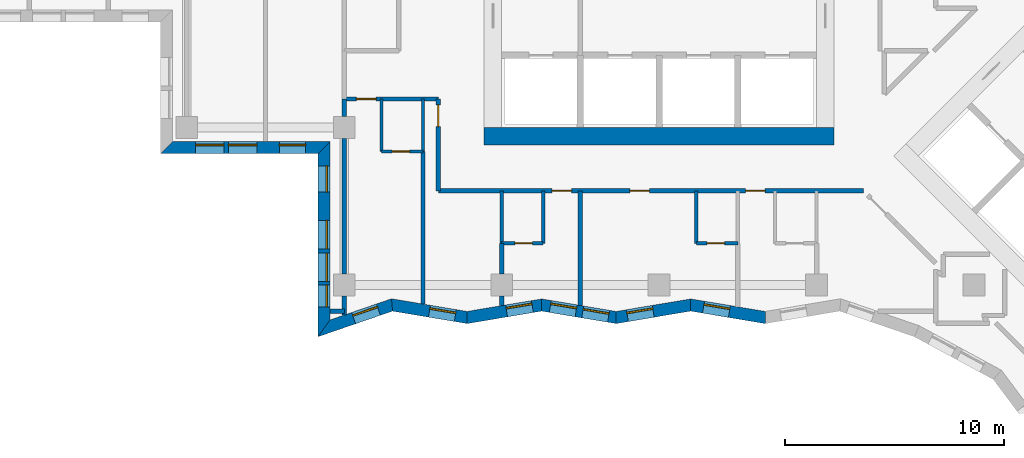
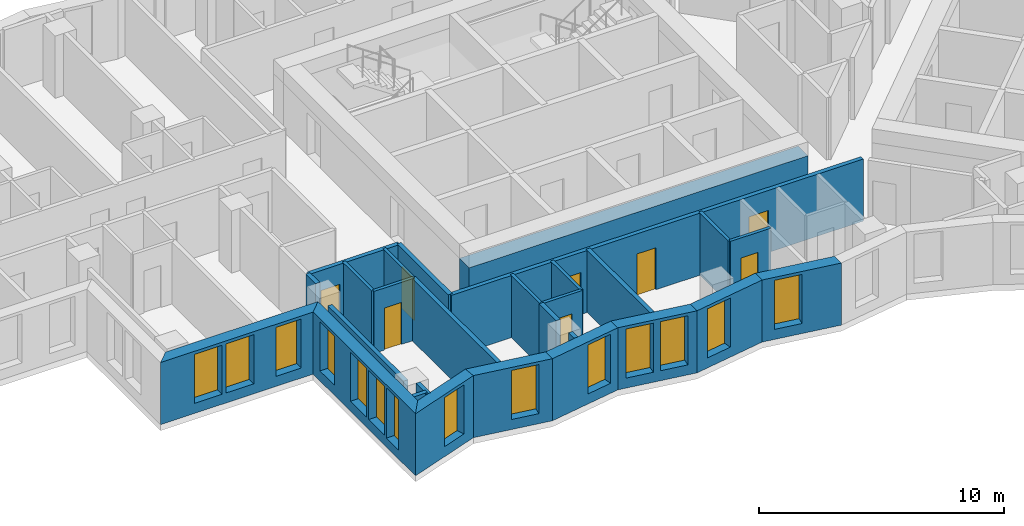
# One storey, part 2 of 13: 28 walls, 14 windows, 8 doors, 22 openings.
"""IFC4 building model written with IfcOpenShell, lengths in metres."""

from ifc_helpers import new_model, si_unit, direction, frame, frame_2d, origin, place, context, subcontext, project, spatial, polyline, rectangle, outline, extrude, material, layer, layer_set, type_object, element, fill, save


model = new_model("IFC4")

# Units and contexts
model_context = context("Model", 3, precision=1e-05, world=origin(), true_north=direction((0.0, 1.0)))
body_context = subcontext(model_context, "Body", "Model", "MODEL_VIEW")
ifc_project = project(units=[si_unit("LENGTHUNIT", "METRE"), si_unit("AREAUNIT", "SQUARE_METRE"), si_unit("VOLUMEUNIT", "CUBIC_METRE"), si_unit("PLANEANGLEUNIT", "RADIAN"), si_unit("MASSUNIT", "GRAM", prefix="KILO")], contexts=[model_context])

# Site, building, storey
site_placement = place(None, origin())
site = spatial("IfcSite", under=ifc_project, at=site_placement, CompositionType="ELEMENT")
building_placement = place(site_placement, origin())
building = spatial("IfcBuilding", under=site, at=building_placement, Name="Windrow Commons", CompositionType="ELEMENT")
storey_placement = place(building_placement, frame((0.0, 0.0, 111.8)))
storey = spatial("IfcBuildingStorey", under=building, at=storey_placement, Name="L30", CompositionType="ELEMENT", Elevation=111.8)

# Wall, openings, windows
ifc_material_1 = material(Name="Brick masonry, red clay brick", Category="masonry")
ifc_layer_1 = layer(ifc_material_1, 0.55)
ifc_layer_set_1 = layer_set([ifc_layer_1], Name="Brick facade wall 550")
wall_type_1 = type_object("IfcWallType", Name="Brick facade wall 550", PredefinedType="SOLIDWALL", material=ifc_layer_set_1)
wall_1_placement = place(storey_placement, frame((42.275, 49.475, 0.0), z_axis=(0.0, 0.0, 1.0), x_axis=(1.0, 0.0, 0.0)))
wall_1 = element("IfcWall", 1, at=wall_1_placement, inside=storey, type_object=wall_type_1, Name="Brick facade wall L30 42", PredefinedType="SOLIDWALL", context=body_context, shape_type="SweptSolid", body=[
    extrude(outline(polyline([(-0.275, -0.275), (6.925, -0.275), (7.475, 0.275), (0.275, 0.275), (-0.275, -0.275)])), origin(), (0.0, 0.0, 1.0), 3.1),
])
opening_1_placement = place(wall_1_placement, frame((1.325, 0.0, 0.5)))
opening_1 = element("IfcOpeningElement", 2, at=opening_1_placement, cuts=wall_1, Name="Opening W1P", PredefinedType="OPENING", context=body_context, shape_type="SweptSolid", body=[
    extrude(rectangle(XDim=1.3, YDim=2.45, at=frame_2d((0.65, 1.225))), frame((0.0, 0.285, 0.0), z_axis=(0.0, -1.0, 0.0), x_axis=(1.0, 0.0, 0.0)), (0.0, 0.0, 1.0), 0.57),
])
opening_2_placement = place(wall_1_placement, frame((2.825, 0.0, 0.5)))
opening_2 = element("IfcOpeningElement", 3, at=opening_2_placement, cuts=wall_1, Name="Opening W1P", PredefinedType="OPENING", context=body_context, shape_type="SweptSolid", body=[
    extrude(rectangle(XDim=1.3, YDim=2.45, at=frame_2d((0.65, 1.225))), frame((0.0, 0.285, 0.0), z_axis=(0.0, -1.0, 0.0), x_axis=(1.0, 0.0, 0.0)), (0.0, 0.0, 1.0), 0.57),
])
opening_3_placement = place(wall_1_placement, frame((5.1625, 0.0, 0.5)))
opening_3 = element("IfcOpeningElement", 4, at=opening_3_placement, cuts=wall_1, Name="Opening W7D", PredefinedType="OPENING", context=body_context, shape_type="SweptSolid", body=[
    extrude(rectangle(XDim=1.2, YDim=2.45, at=frame_2d((0.6, 1.225))), frame((0.0, 0.285, 0.0), z_axis=(0.0, -1.0, 0.0), x_axis=(1.0, 0.0, 0.0)), (0.0, 0.0, 1.0), 0.57),
])
ifc_material_2 = material(Name="Clear float glass in anodised aluminium frame", Category="aluminium")
window_type_1 = type_object("IfcWindowType", Name="Window W1P pair 1300x2450", PartitioningType="SINGLE_PANEL", PredefinedType="WINDOW", material=ifc_material_2)
window_1_placement = place(opening_1_placement, origin())
window_1 = element("IfcWindow", 5, at=window_1_placement, inside=storey, type_object=window_type_1, Name="Window L30 42.1A", OverallHeight=2.45, OverallWidth=1.3, PartitioningType="SINGLE_PANEL", PredefinedType="WINDOW", context=body_context, shape_type="SweptSolid", body=[
    extrude(rectangle(XDim=1.3, YDim=2.45, at=frame_2d((0.65, 1.225))), frame((0.0, 0.155, 0.0), z_axis=(0.0, -1.0, 0.0), x_axis=(1.0, 0.0, 0.0)), (0.0, 0.0, 1.0), 0.06),
])
fill(opening_1, window_1)
window_2_placement = place(opening_2_placement, origin())
window_2 = element("IfcWindow", 6, at=window_2_placement, inside=storey, type_object=window_type_1, Name="Window L30 42.1B", OverallHeight=2.45, OverallWidth=1.3, PartitioningType="SINGLE_PANEL", PredefinedType="WINDOW", context=body_context, shape_type="SweptSolid", body=[
    extrude(rectangle(XDim=1.3, YDim=2.45, at=frame_2d((0.65, 1.225))), frame((0.0, 0.155, 0.0), z_axis=(0.0, -1.0, 0.0), x_axis=(1.0, 0.0, 0.0)), (0.0, 0.0, 1.0), 0.06),
])
fill(opening_2, window_2)
ifc_material_3 = material(Name="Clear float glass in anodised aluminium frame", Category="aluminium")
window_type_2 = type_object("IfcWindowType", Name="Window W7 notch 1200x2450", PartitioningType="SINGLE_PANEL", PredefinedType="WINDOW", material=ifc_material_3)
window_3_placement = place(opening_3_placement, origin())
window_3 = element("IfcWindow", 7, at=window_3_placement, inside=storey, type_object=window_type_2, Name="Window L30 42.2", OverallHeight=2.45, OverallWidth=1.2, PartitioningType="SINGLE_PANEL", PredefinedType="WINDOW", context=body_context, shape_type="SweptSolid", body=[
    extrude(rectangle(XDim=1.2, YDim=2.45, at=frame_2d((0.6, 1.225))), frame((0.0, 0.155, 0.0), z_axis=(0.0, -1.0, 0.0), x_axis=(1.0, 0.0, 0.0)), (0.0, 0.0, 1.0), 0.06),
])
fill(opening_3, window_3)

wall_2_placement = place(storey_placement, frame((49.475, 49.475, 0.0), z_axis=(0.0, 0.0, 1.0), x_axis=(0.0, -1.0, 0.0)))
wall_2 = element("IfcWall", 8, at=wall_2_placement, inside=storey, type_object=wall_type_1, Name="Brick facade wall L30 43", PredefinedType="SOLIDWALL", context=body_context, shape_type="SweptSolid", body=[
    extrude(outline(polyline([(0.275, -0.275), (8.647, -0.275), (7.8763, 0.275), (-0.275, 0.275), (0.275, -0.275)])), origin(), (0.0, 0.0, 1.0), 3.1),
])
opening_4_placement = place(wall_2_placement, frame((3.325, 0.0, 0.5)))
opening_4 = element("IfcOpeningElement", 9, at=opening_4_placement, cuts=wall_2, Name="Opening W1P", PredefinedType="OPENING", context=body_context, shape_type="SweptSolid", body=[
    extrude(rectangle(XDim=1.3, YDim=2.45, at=frame_2d((0.65, 1.225))), frame((0.0, 0.285, 0.0), z_axis=(0.0, -1.0, 0.0), x_axis=(1.0, 0.0, 0.0)), (0.0, 0.0, 1.0), 0.57),
])
opening_5_placement = place(wall_2_placement, frame((4.825, 0.0, 0.5)))
opening_5 = element("IfcOpeningElement", 10, at=opening_5_placement, cuts=wall_2, Name="Opening W1P", PredefinedType="OPENING", context=body_context, shape_type="SweptSolid", body=[
    extrude(rectangle(XDim=1.3, YDim=2.45, at=frame_2d((0.65, 1.225))), frame((0.0, 0.285, 0.0), z_axis=(0.0, -1.0, 0.0), x_axis=(1.0, 0.0, 0.0)), (0.0, 0.0, 1.0), 0.57),
])
opening_6_placement = place(wall_2_placement, frame((0.8375, 0.0, 0.5)))
opening_6 = element("IfcOpeningElement", 11, at=opening_6_placement, cuts=wall_2, Name="Opening W7D", PredefinedType="OPENING", context=body_context, shape_type="SweptSolid", body=[
    extrude(rectangle(XDim=1.2, YDim=2.45, at=frame_2d((0.6, 1.225))), frame((0.0, 0.285, 0.0), z_axis=(0.0, -1.0, 0.0), x_axis=(1.0, 0.0, 0.0)), (0.0, 0.0, 1.0), 0.57),
])
opening_7_placement = place(wall_2_placement, frame((6.275, 0.0, 0.45)))
opening_7 = element("IfcOpeningElement", 12, at=opening_7_placement, cuts=wall_2, Name="Opening W1S", PredefinedType="OPENING", context=body_context, shape_type="SweptSolid", body=[
    extrude(rectangle(XDim=1.0, YDim=2.5, at=frame_2d((0.5, 1.25))), frame((0.0, 0.285, 0.0), z_axis=(0.0, -1.0, 0.0), x_axis=(1.0, 0.0, 0.0)), (0.0, 0.0, 1.0), 0.57),
])
window_4_placement = place(opening_4_placement, origin())
window_4 = element("IfcWindow", 13, at=window_4_placement, inside=storey, type_object=window_type_1, Name="Window L30 43.1A", OverallHeight=2.45, OverallWidth=1.3, PartitioningType="SINGLE_PANEL", PredefinedType="WINDOW", context=body_context, shape_type="SweptSolid", body=[
    extrude(rectangle(XDim=1.3, YDim=2.45, at=frame_2d((0.65, 1.225))), frame((0.0, 0.155, 0.0), z_axis=(0.0, -1.0, 0.0), x_axis=(1.0, 0.0, 0.0)), (0.0, 0.0, 1.0), 0.06),
])
fill(opening_4, window_4)
window_5_placement = place(opening_5_placement, origin())
window_5 = element("IfcWindow", 14, at=window_5_placement, inside=storey, type_object=window_type_1, Name="Window L30 43.1B", OverallHeight=2.45, OverallWidth=1.3, PartitioningType="SINGLE_PANEL", PredefinedType="WINDOW", context=body_context, shape_type="SweptSolid", body=[
    extrude(rectangle(XDim=1.3, YDim=2.45, at=frame_2d((0.65, 1.225))), frame((0.0, 0.155, 0.0), z_axis=(0.0, -1.0, 0.0), x_axis=(1.0, 0.0, 0.0)), (0.0, 0.0, 1.0), 0.06),
])
fill(opening_5, window_5)
ifc_material_4 = material(Name="Clear float glass in anodised aluminium frame", Category="aluminium")
window_type_3 = type_object("IfcWindowType", Name="Window W1S slit 1000x2500", PartitioningType="SINGLE_PANEL", PredefinedType="WINDOW", material=ifc_material_4)
window_6_placement = place(opening_7_placement, origin())
window_6 = element("IfcWindow", 15, at=window_6_placement, inside=storey, type_object=window_type_3, Name="Window L30 43.3A", OverallHeight=2.5, OverallWidth=1.0, PartitioningType="SINGLE_PANEL", PredefinedType="WINDOW", context=body_context, shape_type="SweptSolid", body=[
    extrude(rectangle(XDim=1.0, YDim=2.5, at=frame_2d((0.5, 1.25))), frame((0.0, 0.155, 0.0), z_axis=(0.0, -1.0, 0.0), x_axis=(1.0, 0.0, 0.0)), (0.0, 0.0, 1.0), 0.06),
])
fill(opening_7, window_6)
window_7_placement = place(opening_6_placement, origin())
window_7 = element("IfcWindow", 16, at=window_7_placement, inside=storey, type_object=window_type_2, Name="Window L30 43.2", OverallHeight=2.45, OverallWidth=1.2, PartitioningType="SINGLE_PANEL", PredefinedType="WINDOW", context=body_context, shape_type="SweptSolid", body=[
    extrude(rectangle(XDim=1.2, YDim=2.45, at=frame_2d((0.6, 1.225))), frame((0.0, 0.155, 0.0), z_axis=(0.0, -1.0, 0.0), x_axis=(1.0, 0.0, 0.0)), (0.0, 0.0, 1.0), 0.06),
])
fill(opening_6, window_7)

# Wall, opening, window
wall_3_placement = place(storey_placement, frame((49.475, 41.2133, 0.0), z_axis=(0.0, 0.0, 1.0), x_axis=(0.9456585559, 0.3251613379, 0.0)))
wall_3 = element("IfcWall", 17, at=wall_3_placement, inside=storey, type_object=wall_type_1, Name="Brick facade wall L30 44", PredefinedType="SOLIDWALL", context=body_context, shape_type="SweptSolid", body=[
    extrude(outline(polyline([(-0.3853, -0.275), (3.2193, -0.275), (3.359, 0.275), (0.3853, 0.275), (-0.3853, -0.275)])), origin(), (0.0, 0.0, 1.0), 3.1),
])
opening_8_placement = place(wall_3_placement, frame((1.4336, 0.0, 0.5)))
opening_8 = element("IfcOpeningElement", 18, at=opening_8_placement, cuts=wall_3, Name="Opening W7D", PredefinedType="OPENING", context=body_context, shape_type="SweptSolid", body=[
    extrude(rectangle(XDim=1.2, YDim=2.45, at=frame_2d((0.6, 1.225))), frame((0.0, 0.285, 0.0), z_axis=(0.0, -1.0, 0.0), x_axis=(1.0, 0.0, 0.0)), (0.0, 0.0, 1.0), 0.57),
])
window_8_placement = place(opening_8_placement, origin())
window_8 = element("IfcWindow", 19, at=window_8_placement, inside=storey, type_object=window_type_2, Name="Window L30 44.1", OverallHeight=2.45, OverallWidth=1.2, PartitioningType="SINGLE_PANEL", PredefinedType="WINDOW", context=body_context, shape_type="SweptSolid", body=[
    extrude(rectangle(XDim=1.2, YDim=2.45, at=frame_2d((0.6, 1.225))), frame((0.0, 0.155, 0.0), z_axis=(0.0, -1.0, 0.0), x_axis=(1.0, 0.0, 0.0)), (0.0, 0.0, 1.0), 0.06),
])
fill(opening_8, window_8)

wall_4_placement = place(storey_placement, frame((52.5854, 42.2828, 0.0), z_axis=(0.0, 0.0, 1.0), x_axis=(0.9862084709, -0.1655078606, 0.0)))
wall_4 = element("IfcWall", 20, at=wall_4_placement, inside=storey, type_object=wall_type_1, Name="Brick facade wall L30 45", PredefinedType="SOLIDWALL", context=body_context, shape_type="SweptSolid", body=[
    extrude(outline(polyline([(0.0698, -0.275), (3.5263, -0.275), (3.434, 0.275), (-0.0698, 0.275), (0.0698, -0.275)])), origin(), (0.0, 0.0, 1.0), 3.1),
])
opening_9_placement = place(wall_4_placement, frame((1.7342, 0.0, 0.5)))
opening_9 = element("IfcOpeningElement", 21, at=opening_9_placement, cuts=wall_4, Name="Opening W7D", PredefinedType="OPENING", context=body_context, shape_type="SweptSolid", body=[
    extrude(rectangle(XDim=1.2, YDim=2.45, at=frame_2d((0.6, 1.225))), frame((0.0, 0.285, 0.0), z_axis=(0.0, -1.0, 0.0), x_axis=(1.0, 0.0, 0.0)), (0.0, 0.0, 1.0), 0.57),
])
window_9_placement = place(opening_9_placement, origin())
window_9 = element("IfcWindow", 22, at=window_9_placement, inside=storey, type_object=window_type_2, Name="Window L30 45.1", OverallHeight=2.45, OverallWidth=1.2, PartitioningType="SINGLE_PANEL", PredefinedType="WINDOW", context=body_context, shape_type="SweptSolid", body=[
    extrude(rectangle(XDim=1.2, YDim=2.45, at=frame_2d((0.6, 1.225))), frame((0.0, 0.155, 0.0), z_axis=(0.0, -1.0, 0.0), x_axis=(1.0, 0.0, 0.0)), (0.0, 0.0, 1.0), 0.06),
])
fill(opening_9, window_9)

wall_5_placement = place(storey_placement, frame((56.0176, 41.7068, 0.0), z_axis=(0.0, 0.0, 1.0), x_axis=(0.9862119159, 0.1654873316, 0.0)))
wall_5 = element("IfcWall", 23, at=wall_5_placement, inside=storey, type_object=wall_type_1, Name="Brick facade wall L30 46", PredefinedType="SOLIDWALL", context=body_context, shape_type="SweptSolid", body=[
    extrude(outline(polyline([(-0.0461, -0.275), (3.4103, -0.275), (3.5026, 0.275), (0.0461, 0.275), (-0.0461, -0.275)])), origin(), (0.0, 0.0, 1.0), 3.1),
])
opening_10_placement = place(wall_5_placement, frame((1.8305, 0.0, 0.5)))
opening_10 = element("IfcOpeningElement", 24, at=opening_10_placement, cuts=wall_5, Name="Opening W7D", PredefinedType="OPENING", context=body_context, shape_type="SweptSolid", body=[
    extrude(rectangle(XDim=1.2, YDim=2.45, at=frame_2d((0.6, 1.225))), frame((0.0, 0.285, 0.0), z_axis=(0.0, -1.0, 0.0), x_axis=(1.0, 0.0, 0.0)), (0.0, 0.0, 1.0), 0.57),
])
window_10_placement = place(opening_10_placement, origin())
window_10 = element("IfcWindow", 25, at=window_10_placement, inside=storey, type_object=window_type_2, Name="Window L30 46.1", OverallHeight=2.45, OverallWidth=1.2, PartitioningType="SINGLE_PANEL", PredefinedType="WINDOW", context=body_context, shape_type="SweptSolid", body=[
    extrude(rectangle(XDim=1.2, YDim=2.45, at=frame_2d((0.6, 1.225))), frame((0.0, 0.155, 0.0), z_axis=(0.0, -1.0, 0.0), x_axis=(1.0, 0.0, 0.0)), (0.0, 0.0, 1.0), 0.06),
])
fill(opening_10, window_10)

# Wall, openings, windows
wall_6_placement = place(storey_placement, frame((59.4264, 42.2788, 0.0), z_axis=(0.0, 0.0, 1.0), x_axis=(0.9862119159, -0.1654873316, 0.0)))
wall_6 = element("IfcWall", 26, at=wall_6_placement, inside=storey, type_object=wall_type_1, Name="Brick facade wall L30 47", PredefinedType="SOLIDWALL", context=body_context, shape_type="SweptSolid", body=[
    extrude(outline(polyline([(0.0461, -0.275), (3.5026, -0.275), (3.4103, 0.275), (-0.0461, 0.275), (0.0461, -0.275)])), origin(), (0.0, 0.0, 1.0), 3.1),
])
opening_11_placement = place(wall_6_placement, frame((0.3992, 0.0, 0.5)))
opening_11 = element("IfcOpeningElement", 27, at=opening_11_placement, cuts=wall_6, Name="Opening W7D", PredefinedType="OPENING", context=body_context, shape_type="SweptSolid", body=[
    extrude(rectangle(XDim=1.2, YDim=2.45, at=frame_2d((0.6, 1.225))), frame((0.0, 0.285, 0.0), z_axis=(0.0, -1.0, 0.0), x_axis=(1.0, 0.0, 0.0)), (0.0, 0.0, 1.0), 0.57),
])
opening_12_placement = place(wall_6_placement, frame((1.9043, 0.0, 0.5)))
opening_12 = element("IfcOpeningElement", 28, at=opening_12_placement, cuts=wall_6, Name="Opening W7D", PredefinedType="OPENING", context=body_context, shape_type="SweptSolid", body=[
    extrude(rectangle(XDim=1.2, YDim=2.45, at=frame_2d((0.6, 1.225))), frame((0.0, 0.285, 0.0), z_axis=(0.0, -1.0, 0.0), x_axis=(1.0, 0.0, 0.0)), (0.0, 0.0, 1.0), 0.57),
])
window_11_placement = place(opening_11_placement, origin())
window_11 = element("IfcWindow", 29, at=window_11_placement, inside=storey, type_object=window_type_2, Name="Window L30 47.1", OverallHeight=2.45, OverallWidth=1.2, PartitioningType="SINGLE_PANEL", PredefinedType="WINDOW", context=body_context, shape_type="SweptSolid", body=[
    extrude(rectangle(XDim=1.2, YDim=2.45, at=frame_2d((0.6, 1.225))), frame((0.0, 0.155, 0.0), z_axis=(0.0, -1.0, 0.0), x_axis=(1.0, 0.0, 0.0)), (0.0, 0.0, 1.0), 0.06),
])
fill(opening_11, window_11)
window_12_placement = place(opening_12_placement, origin())
window_12 = element("IfcWindow", 30, at=window_12_placement, inside=storey, type_object=window_type_2, Name="Window L30 47.2", OverallHeight=2.45, OverallWidth=1.2, PartitioningType="SINGLE_PANEL", PredefinedType="WINDOW", context=body_context, shape_type="SweptSolid", body=[
    extrude(rectangle(XDim=1.2, YDim=2.45, at=frame_2d((0.6, 1.225))), frame((0.0, 0.155, 0.0), z_axis=(0.0, -1.0, 0.0), x_axis=(1.0, 0.0, 0.0)), (0.0, 0.0, 1.0), 0.06),
])
fill(opening_12, window_12)

# Wall, opening, window
wall_7_placement = place(storey_placement, frame((62.8352, 41.7068, 0.0), z_axis=(0.0, 0.0, 1.0), x_axis=(0.9862119159, 0.1654873316, 0.0)))
wall_7 = element("IfcWall", 31, at=wall_7_placement, inside=storey, type_object=wall_type_1, Name="Brick facade wall L30 48", PredefinedType="SOLIDWALL", context=body_context, shape_type="SweptSolid", body=[
    extrude(outline(polyline([(-0.0461, -0.275), (3.4103, -0.275), (3.5026, 0.275), (0.0461, 0.275), (-0.0461, -0.275)])), origin(), (0.0, 0.0, 1.0), 3.1),
])
opening_13_placement = place(wall_7_placement, frame((0.5192, 0.0, 0.5)))
opening_13 = element("IfcOpeningElement", 32, at=opening_13_placement, cuts=wall_7, Name="Opening W7D", PredefinedType="OPENING", context=body_context, shape_type="SweptSolid", body=[
    extrude(rectangle(XDim=1.2, YDim=2.45, at=frame_2d((0.6, 1.225))), frame((0.0, 0.285, 0.0), z_axis=(0.0, -1.0, 0.0), x_axis=(1.0, 0.0, 0.0)), (0.0, 0.0, 1.0), 0.57),
])
window_13_placement = place(opening_13_placement, origin())
window_13 = element("IfcWindow", 33, at=window_13_placement, inside=storey, type_object=window_type_2, Name="Window L30 48.1", OverallHeight=2.45, OverallWidth=1.2, PartitioningType="SINGLE_PANEL", PredefinedType="WINDOW", context=body_context, shape_type="SweptSolid", body=[
    extrude(rectangle(XDim=1.2, YDim=2.45, at=frame_2d((0.6, 1.225))), frame((0.0, 0.155, 0.0), z_axis=(0.0, -1.0, 0.0), x_axis=(1.0, 0.0, 0.0)), (0.0, 0.0, 1.0), 0.06),
])
fill(opening_13, window_13)

wall_8_placement = place(storey_placement, frame((66.244, 42.2788, 0.0), z_axis=(0.0, 0.0, 1.0), x_axis=(0.9862119159, -0.1654873316, 0.0)))
wall_8 = element("IfcWall", 34, at=wall_8_placement, inside=storey, type_object=wall_type_1, Name="Brick facade wall L30 49", PredefinedType="SOLIDWALL", context=body_context, shape_type="SweptSolid", body=[
    extrude(outline(polyline([(0.0461, -0.275), (3.5026, -0.275), (3.4103, 0.275), (-0.0461, 0.275), (0.0461, -0.275)])), origin(), (0.0, 0.0, 1.0), 3.1),
])
opening_14_placement = place(wall_8_placement, frame((0.5931, 0.0, 0.5)))
opening_14 = element("IfcOpeningElement", 35, at=opening_14_placement, cuts=wall_8, Name="Opening W7D", PredefinedType="OPENING", context=body_context, shape_type="SweptSolid", body=[
    extrude(rectangle(XDim=1.2, YDim=2.45, at=frame_2d((0.6, 1.225))), frame((0.0, 0.285, 0.0), z_axis=(0.0, -1.0, 0.0), x_axis=(1.0, 0.0, 0.0)), (0.0, 0.0, 1.0), 0.57),
])
window_14_placement = place(opening_14_placement, origin())
window_14 = element("IfcWindow", 36, at=window_14_placement, inside=storey, type_object=window_type_2, Name="Window L30 49.1", OverallHeight=2.45, OverallWidth=1.2, PartitioningType="SINGLE_PANEL", PredefinedType="WINDOW", context=body_context, shape_type="SweptSolid", body=[
    extrude(rectangle(XDim=1.2, YDim=2.45, at=frame_2d((0.6, 1.225))), frame((0.0, 0.155, 0.0), z_axis=(0.0, -1.0, 0.0), x_axis=(1.0, 0.0, 0.0)), (0.0, 0.0, 1.0), 0.06),
])
fill(opening_14, window_14)

# Wall, openings, doors
ifc_material_5 = material(Name="Blockwork partition", Category="masonry")
ifc_layer_2 = layer(ifc_material_5, 0.2)
ifc_layer_set_2 = layer_set([ifc_layer_2], Name="IW-CORRIDOR-200")
wall_type_2 = type_object("IfcWallType", Name="IW-CORRIDOR-200", PredefinedType="PARTITIONING", material=ifc_layer_set_2)
wall_9_placement = place(storey_placement, frame((54.7, 47.5, 0.0), z_axis=(0.0, 0.0, 1.0), x_axis=(1.0, 0.0, 0.0)))
wall_9 = element("IfcWall", 37, at=wall_9_placement, inside=storey, type_object=wall_type_2, Name="W-L30-W003", PredefinedType="PARTITIONING", context=body_context, shape_type="SweptSolid", body=[
    extrude(rectangle(XDim=19.442, YDim=0.2, at=frame_2d((9.721, 0.0))), origin(), (0.0, 0.0, 1.0), 3.1),
])
opening_15_placement = place(wall_9_placement, frame((5.2, 0.0, 0.0)))
opening_15 = element("IfcOpeningElement", 38, at=opening_15_placement, cuts=wall_9, Name="Opening D109S", PredefinedType="OPENING", context=body_context, shape_type="SweptSolid", body=[
    extrude(rectangle(XDim=0.9, YDim=2.1, at=frame_2d((0.45, 1.05))), frame((0.0, 0.11, 0.0), z_axis=(0.0, -1.0, 0.0), x_axis=(1.0, 0.0, 0.0)), (0.0, 0.0, 1.0), 0.22),
])
opening_16_placement = place(wall_9_placement, frame((8.7566, 0.0, 0.0)))
opening_16 = element("IfcOpeningElement", 39, at=opening_16_placement, cuts=wall_9, Name="Opening D109F", PredefinedType="OPENING", context=body_context, shape_type="SweptSolid", body=[
    extrude(rectangle(XDim=0.9, YDim=2.1, at=frame_2d((0.45, 1.05))), frame((0.0, 0.11, 0.0), z_axis=(0.0, -1.0, 0.0), x_axis=(1.0, 0.0, 0.0)), (0.0, 0.0, 1.0), 0.22),
])
opening_17_placement = place(wall_9_placement, frame((14.05, 0.0, 0.0)))
opening_17 = element("IfcOpeningElement", 40, at=opening_17_placement, cuts=wall_9, Name="Opening D109S", PredefinedType="OPENING", context=body_context, shape_type="SweptSolid", body=[
    extrude(rectangle(XDim=0.9, YDim=2.1, at=frame_2d((0.45, 1.05))), frame((0.0, 0.11, 0.0), z_axis=(0.0, -1.0, 0.0), x_axis=(1.0, 0.0, 0.0)), (0.0, 0.0, 1.0), 0.22),
])
ifc_material_6 = material(Name="Timber door leaf", Category="wood")
door_type_1 = type_object("IfcDoorType", Name="DT-BEDROOM-900", OperationType="SINGLE_SWING_LEFT", PredefinedType="DOOR", material=ifc_material_6)
door_1_placement = place(opening_15_placement, origin())
door_1 = element("IfcDoor", 41, at=door_1_placement, inside=storey, type_object=door_type_1, Name="D-L30-D012", OperationType="SINGLE_SWING_LEFT", OverallHeight=2.1, OverallWidth=0.9, PredefinedType="DOOR", context=body_context, shape_type="SweptSolid", body=[
    extrude(rectangle(XDim=0.9, YDim=2.1, at=frame_2d((0.45, 1.05))), frame((0.0, 0.025, 0.0), z_axis=(0.0, -1.0, 0.0), x_axis=(1.0, 0.0, 0.0)), (0.0, 0.0, 1.0), 0.05),
])
fill(opening_15, door_1)
door_2_placement = place(opening_16_placement, origin())
door_2 = element("IfcDoor", 42, at=door_2_placement, inside=storey, type_object=door_type_1, Name="D-L30-D014", OperationType="SINGLE_SWING_RIGHT", OverallHeight=2.1, OverallWidth=0.9, PredefinedType="DOOR", context=body_context, shape_type="SweptSolid", body=[
    extrude(rectangle(XDim=0.9, YDim=2.1, at=frame_2d((0.45, 1.05))), frame((0.0, 0.025, 0.0), z_axis=(0.0, -1.0, 0.0), x_axis=(1.0, 0.0, 0.0)), (0.0, 0.0, 1.0), 0.05),
])
fill(opening_16, door_2)
door_3_placement = place(opening_17_placement, origin())
door_3 = element("IfcDoor", 43, at=door_3_placement, inside=storey, type_object=door_type_1, Name="D-L30-D016", OperationType="SINGLE_SWING_RIGHT", OverallHeight=2.1, OverallWidth=0.9, PredefinedType="DOOR", context=body_context, shape_type="SweptSolid", body=[
    extrude(rectangle(XDim=0.9, YDim=2.1, at=frame_2d((0.45, 1.05))), frame((0.0, 0.025, 0.0), z_axis=(0.0, -1.0, 0.0), x_axis=(1.0, 0.0, 0.0)), (0.0, 0.0, 1.0), 0.05),
])
fill(opening_17, door_3)

# Wall, opening, door
wall_10_placement = place(storey_placement, frame((50.4, 51.7, 0.0), z_axis=(0.0, 0.0, 1.0), x_axis=(1.0, 0.0, 0.0)))
wall_10 = element("IfcWall", 44, at=wall_10_placement, inside=storey, type_object=wall_type_2, Name="W-L30-W048", PredefinedType="PARTITIONING", context=body_context, shape_type="SweptSolid", body=[
    extrude(rectangle(XDim=4.3, YDim=0.2, at=frame_2d((2.15, 0.0))), origin(), (0.0, 0.0, 1.0), 3.1),
])
opening_18_placement = place(wall_10_placement, frame((0.5517, 0.0, 0.0)))
opening_18 = element("IfcOpeningElement", 45, at=opening_18_placement, cuts=wall_10, Name="Opening D109S", PredefinedType="OPENING", context=body_context, shape_type="SweptSolid", body=[
    extrude(rectangle(XDim=0.9, YDim=2.1, at=frame_2d((0.45, 1.05))), frame((0.0, 0.11, 0.0), z_axis=(0.0, -1.0, 0.0), x_axis=(1.0, 0.0, 0.0)), (0.0, 0.0, 1.0), 0.22),
])
door_4_placement = place(opening_18_placement, origin())
door_4 = element("IfcDoor", 46, at=door_4_placement, inside=storey, type_object=door_type_1, Name="D-L30-D007", OperationType="SINGLE_SWING_LEFT", OverallHeight=2.1, OverallWidth=0.9, PredefinedType="DOOR", context=body_context, shape_type="SweptSolid", body=[
    extrude(rectangle(XDim=0.9, YDim=2.1, at=frame_2d((0.45, 1.05))), frame((0.0, 0.025, 0.0), z_axis=(0.0, -1.0, 0.0), x_axis=(1.0, 0.0, 0.0)), (0.0, 0.0, 1.0), 0.05),
])
fill(opening_18, door_4)

wall_11_placement = place(storey_placement, frame((54.7, 47.5, 0.0), z_axis=(0.0, 0.0, 1.0), x_axis=(0.0, 1.0, 0.0)))
wall_11 = element("IfcWall", 47, at=wall_11_placement, inside=storey, type_object=wall_type_2, Name="W-L30-W050", PredefinedType="PARTITIONING", context=body_context, shape_type="SweptSolid", body=[
    extrude(rectangle(XDim=4.2, YDim=0.2, at=frame_2d((2.1, 0.0))), origin(), (0.0, 0.0, 1.0), 3.1),
])
opening_19_placement = place(wall_11_placement, frame((2.9369, 0.0, 0.0)))
opening_19 = element("IfcOpeningElement", 48, at=opening_19_placement, cuts=wall_11, Name="Opening D310F", PredefinedType="OPENING", context=body_context, shape_type="SweptSolid", body=[
    extrude(rectangle(XDim=1.0, YDim=2.1, at=frame_2d((0.5, 1.05))), frame((0.0, 0.11, 0.0), z_axis=(0.0, -1.0, 0.0), x_axis=(1.0, 0.0, 0.0)), (0.0, 0.0, 1.0), 0.22),
])
ifc_material_7 = material(Name="Timber door leaf", Category="wood")
door_type_2 = type_object("IfcDoorType", Name="DT-AMENITY-1000", OperationType="SINGLE_SWING_LEFT", PredefinedType="DOOR", material=ifc_material_7)
door_5_placement = place(opening_19_placement, origin())
door_5 = element("IfcDoor", 49, at=door_5_placement, inside=storey, type_object=door_type_2, Name="D-L30-D009", OperationType="SINGLE_SWING_RIGHT", OverallHeight=2.1, OverallWidth=1.0, PredefinedType="DOOR", context=body_context, shape_type="SweptSolid", body=[
    extrude(rectangle(XDim=1.0, YDim=2.1, at=frame_2d((0.5, 1.05))), frame((0.0, 0.025, 0.0), z_axis=(0.0, -1.0, 0.0), x_axis=(1.0, 0.0, 0.0)), (0.0, 0.0, 1.0), 0.05),
])
fill(opening_19, door_5)

# Walls
ifc_material_8 = material(Name="Blockwork partition", Category="masonry")
ifc_layer_3 = layer(ifc_material_8, 0.15)
ifc_layer_set_3 = layer_set([ifc_layer_3], Name="IW-ENSUITE-150")
wall_type_3 = type_object("IfcWallType", Name="IW-ENSUITE-150", PredefinedType="PARTITIONING", material=ifc_layer_set_3)
for number, where, z_axis, x_axis, name in (
    (50, (52.1, 49.3, 0.0), (0.0, 0.0, 1.0), (0.0, 1.0, 0.0), "W-L30-W086"),
    (51, (54.0, 49.3, 0.0), (0.0, 0.0, 1.0), (0.0, 1.0, 0.0), "W-L30-W087"),
    (52, (59.5, 45.1, 0.0), (0.0, 0.0, 1.0), (0.0, 1.0, 0.0), "W-L30-W099"),
    (53, (57.6, 45.1, 0.0), (0.0, 0.0, 1.0), (0.0, 1.0, 0.0), "W-L30-W100"),
    (54, (66.5, 45.1, 0.0), (0.0, 0.0, 1.0), (0.0, 1.0, 0.0), "W-L30-W101"),
):
    element("IfcWall", number, at=place(storey_placement, frame(where, z_axis=z_axis, x_axis=x_axis)), inside=storey, type_object=wall_type_3, Name=name, PredefinedType="PARTITIONING", context=body_context, shape_type="SweptSolid", body=[
        extrude(rectangle(XDim=2.4, YDim=0.15, at=frame_2d((1.2, 0.0))), origin(), (0.0, 0.0, 1.0), 3.1),
    ])

# Wall, opening, door
wall_12_placement = place(storey_placement, frame((66.5, 45.1, 0.0), z_axis=(0.0, 0.0, 1.0), x_axis=(1.0, 0.0, 0.0)))
wall_12 = element("IfcWall", 55, at=wall_12_placement, inside=storey, type_object=wall_type_3, Name="W-L30-W140", PredefinedType="PARTITIONING", context=body_context, shape_type="SweptSolid", body=[
    extrude(rectangle(XDim=1.9, YDim=0.15, at=frame_2d((0.95, 0.0))), origin(), (0.0, 0.0, 1.0), 3.1),
])
opening_20_placement = place(wall_12_placement, frame((0.4931, 0.0, 0.0)))
opening_20 = element("IfcOpeningElement", 56, at=opening_20_placement, cuts=wall_12, Name="Opening D208N", PredefinedType="OPENING", context=body_context, shape_type="SweptSolid", body=[
    extrude(rectangle(XDim=0.8, YDim=2.1, at=frame_2d((0.4, 1.05))), frame((0.0, 0.085, 0.0), z_axis=(0.0, -1.0, 0.0), x_axis=(1.0, 0.0, 0.0)), (0.0, 0.0, 1.0), 0.17),
])
ifc_material_9 = material(Name="Timber door leaf", Category="wood")
door_type_3 = type_object("IfcDoorType", Name="DT-ENSUITE-800", OperationType="SINGLE_SWING_LEFT", PredefinedType="DOOR", material=ifc_material_9)
door_6_placement = place(opening_20_placement, origin())
door_6 = element("IfcDoor", 57, at=door_6_placement, inside=storey, type_object=door_type_3, Name="D-L30-D015", OperationType="SINGLE_SWING_RIGHT", OverallHeight=2.1, OverallWidth=0.8, PredefinedType="DOOR", context=body_context, shape_type="SweptSolid", body=[
    extrude(rectangle(XDim=0.8, YDim=2.1, at=frame_2d((0.4, 1.05))), frame((0.0, 0.025, 0.0), z_axis=(0.0, -1.0, 0.0), x_axis=(1.0, 0.0, 0.0)), (0.0, 0.0, 1.0), 0.05),
])
fill(opening_20, door_6)

wall_13_placement = place(storey_placement, frame((52.1, 49.3, 0.0), z_axis=(0.0, 0.0, 1.0), x_axis=(1.0, 0.0, 0.0)))
wall_13 = element("IfcWall", 58, at=wall_13_placement, inside=storey, type_object=wall_type_3, Name="W-L30-W147", PredefinedType="PARTITIONING", context=body_context, shape_type="SweptSolid", body=[
    extrude(rectangle(XDim=1.9, YDim=0.15, at=frame_2d((0.95, 0.0))), origin(), (0.0, 0.0, 1.0), 3.1),
])
opening_21_placement = place(wall_13_placement, frame((0.4931, 0.0, 0.0)))
opening_21 = element("IfcOpeningElement", 59, at=opening_21_placement, cuts=wall_13, Name="Opening D208N", PredefinedType="OPENING", context=body_context, shape_type="SweptSolid", body=[
    extrude(rectangle(XDim=0.8, YDim=2.1, at=frame_2d((0.4, 1.05))), frame((0.0, 0.085, 0.0), z_axis=(0.0, -1.0, 0.0), x_axis=(1.0, 0.0, 0.0)), (0.0, 0.0, 1.0), 0.17),
])
door_7_placement = place(opening_21_placement, origin())
door_7 = element("IfcDoor", 60, at=door_7_placement, inside=storey, type_object=door_type_3, Name="D-L30-D008", OperationType="SINGLE_SWING_RIGHT", OverallHeight=2.1, OverallWidth=0.8, PredefinedType="DOOR", context=body_context, shape_type="SweptSolid", body=[
    extrude(rectangle(XDim=0.8, YDim=2.1, at=frame_2d((0.4, 1.05))), frame((0.0, 0.025, 0.0), z_axis=(0.0, -1.0, 0.0), x_axis=(1.0, 0.0, 0.0)), (0.0, 0.0, 1.0), 0.05),
])
fill(opening_21, door_7)

wall_14_placement = place(storey_placement, frame((57.6, 45.1, 0.0), z_axis=(0.0, 0.0, 1.0), x_axis=(1.0, 0.0, 0.0)))
wall_14 = element("IfcWall", 61, at=wall_14_placement, inside=storey, type_object=wall_type_3, Name="W-L30-W148", PredefinedType="PARTITIONING", context=body_context, shape_type="SweptSolid", body=[
    extrude(rectangle(XDim=1.9, YDim=0.15, at=frame_2d((0.95, 0.0))), origin(), (0.0, 0.0, 1.0), 3.1),
])
opening_22_placement = place(wall_14_placement, frame((0.6069, 0.0, 0.0)))
opening_22 = element("IfcOpeningElement", 62, at=opening_22_placement, cuts=wall_14, Name="Opening D208N", PredefinedType="OPENING", context=body_context, shape_type="SweptSolid", body=[
    extrude(rectangle(XDim=0.8, YDim=2.1, at=frame_2d((0.4, 1.05))), frame((0.0, 0.085, 0.0), z_axis=(0.0, -1.0, 0.0), x_axis=(1.0, 0.0, 0.0)), (0.0, 0.0, 1.0), 0.17),
])
door_8_placement = place(opening_22_placement, origin())
door_8 = element("IfcDoor", 63, at=door_8_placement, inside=storey, type_object=door_type_3, Name="D-L30-D013", OperationType="SINGLE_SWING_RIGHT", OverallHeight=2.1, OverallWidth=0.8, PredefinedType="DOOR", context=body_context, shape_type="SweptSolid", body=[
    extrude(rectangle(XDim=0.8, YDim=2.1, at=frame_2d((0.4, 1.05))), frame((0.0, 0.025, 0.0), z_axis=(0.0, -1.0, 0.0), x_axis=(1.0, 0.0, 0.0)), (0.0, 0.0, 1.0), 0.05),
])
fill(opening_22, door_8)

# Walls
ifc_material_10 = material(Name="Blockwork partition", Category="masonry")
ifc_layer_4 = layer(ifc_material_10, 0.2)
ifc_layer_set_4 = layer_set([ifc_layer_4], Name="IW-PARTY-200")
wall_type_4 = type_object("IfcWallType", Name="IW-PARTY-200", PredefinedType="PARTITIONING", material=ifc_layer_set_4)
wall_15_placement = place(storey_placement, frame((54.0, 42.3242, 0.0), z_axis=(0.0, 0.0, 1.0), x_axis=(0.0, 1.0, 0.0)))
element("IfcWall", 64, at=wall_15_placement, inside=storey, type_object=wall_type_4, Name="W-L30-W023", PredefinedType="PARTITIONING", context=body_context, shape_type="SweptSolid", body=[
    extrude(rectangle(XDim=6.9758, YDim=0.2, at=frame_2d((3.4879, 0.0))), origin(), (0.0, 0.0, 1.0), 3.1),
])
wall_16_placement = place(storey_placement, frame((50.4, 43.7, 0.0), z_axis=(0.0, 0.0, 1.0), x_axis=(0.0, 1.0, 0.0)))
element("IfcWall", 65, at=wall_16_placement, inside=storey, type_object=wall_type_4, Name="W-L30-W031", PredefinedType="PARTITIONING", context=body_context, shape_type="SweptSolid", body=[
    extrude(rectangle(XDim=6.2, YDim=0.2, at=frame_2d((3.1, 0.0))), origin(), (0.0, 0.0, 1.0), 2.6),
])
wall_17_placement = place(storey_placement, frame((61.2, 42.2601, 0.0), z_axis=(0.0, 0.0, 1.0), x_axis=(0.0, 1.0, 0.0)))
element("IfcWall", 66, at=wall_17_placement, inside=storey, type_object=wall_type_4, Name="W-L30-W039", PredefinedType="PARTITIONING", context=body_context, shape_type="SweptSolid", body=[
    extrude(rectangle(XDim=5.2399, YDim=0.2, at=frame_2d((2.6199, 0.0))), origin(), (0.0, 0.0, 1.0), 3.1),
])
wall_18_placement = place(storey_placement, frame((57.6, 43.7, 0.0), z_axis=(0.0, 0.0, 1.0), x_axis=(0.0, 1.0, 0.0)))
element("IfcWall", 67, at=wall_18_placement, inside=storey, type_object=wall_type_4, Name="W-L30-W161", PredefinedType="PARTITIONING", context=body_context, shape_type="SweptSolid", body=[
    extrude(rectangle(XDim=1.4, YDim=0.2, at=frame_2d((0.7, 0.0))), origin(), (0.0, 0.0, 1.0), 3.1),
])
wall_19_placement = place(storey_placement, frame((50.4, 50.9, 0.0), z_axis=(0.0, 0.0, 1.0), x_axis=(0.0, 1.0, 0.0)))
element("IfcWall", 68, at=wall_19_placement, inside=storey, type_object=wall_type_4, Name="W-L30-W171", PredefinedType="PARTITIONING", context=body_context, shape_type="SweptSolid", body=[
    extrude(rectangle(XDim=0.8, YDim=0.2, at=frame_2d((0.4, 0.0))), origin(), (0.0, 0.0, 1.0), 3.1),
])
wall_20_placement = place(storey_placement, frame((50.4, 41.8222, 0.0), z_axis=(0.0, 0.0, 1.0), x_axis=(0.0, 1.0, 0.0)))
element("IfcWall", 69, at=wall_20_placement, inside=storey, type_object=wall_type_4, Name="W-L30-W180", PredefinedType="PARTITIONING", context=body_context, shape_type="SweptSolid", body=[
    extrude(rectangle(XDim=0.8778, YDim=0.2, at=frame_2d((0.4389, 0.0))), origin(), (0.0, 0.0, 1.0), 3.1),
])
wall_21_placement = place(storey_placement, frame((49.75, 42.0, 0.0), z_axis=(0.0, 0.0, 1.0), x_axis=(1.0, 0.0, 0.0)))
element("IfcWall", 70, at=wall_21_placement, inside=storey, type_object=wall_type_4, Name="W-L30-W187", PredefinedType="PARTITIONING", context=body_context, shape_type="SweptSolid", body=[
    extrude(rectangle(XDim=0.65, YDim=0.2, at=frame_2d((0.325, 0.0))), origin(), (0.0, 0.0, 1.0), 3.1),
])
wall_22_placement = place(storey_placement, frame((57.6, 42.2512, 0.0), z_axis=(0.0, 0.0, 1.0), x_axis=(0.0, 1.0, 0.0)))
element("IfcWall", 71, at=wall_22_placement, inside=storey, type_object=wall_type_4, Name="W-L30-W212", PredefinedType="PARTITIONING", context=body_context, shape_type="SweptSolid", body=[
    extrude(rectangle(XDim=0.4488, YDim=0.2, at=frame_2d((0.2244, 0.0))), origin(), (0.0, 0.0, 1.0), 3.1),
])
ifc_material_11 = material(Name="Concrete C50/60", Category="concrete")
ifc_layer_5 = layer(ifc_material_11, 0.8)
ifc_layer_set_5 = layer_set([ifc_layer_5], Name="RC CORE WALL 800 C50/60")
wall_type_5 = type_object("IfcWallType", Name="RC CORE WALL 800 C50/60", PredefinedType="SHEAR", material=ifc_layer_set_5)
wall_23_placement = place(storey_placement, frame((56.8, 50.0, -0.3), z_axis=(0.0, 0.0, 1.0), x_axis=(1.0, 0.0, 0.0)))
element("IfcWall", 72, at=wall_23_placement, inside=storey, type_object=wall_type_5, Name="Core A wall outer-S", PredefinedType="SHEAR", context=body_context, shape_type="SweptSolid", body=[
    extrude(rectangle(XDim=16.0, YDim=0.8, at=frame_2d((8.0, 0.0))), origin(), (0.0, 0.0, 1.0), 2.7),
])

save(model, "model.ifc")
